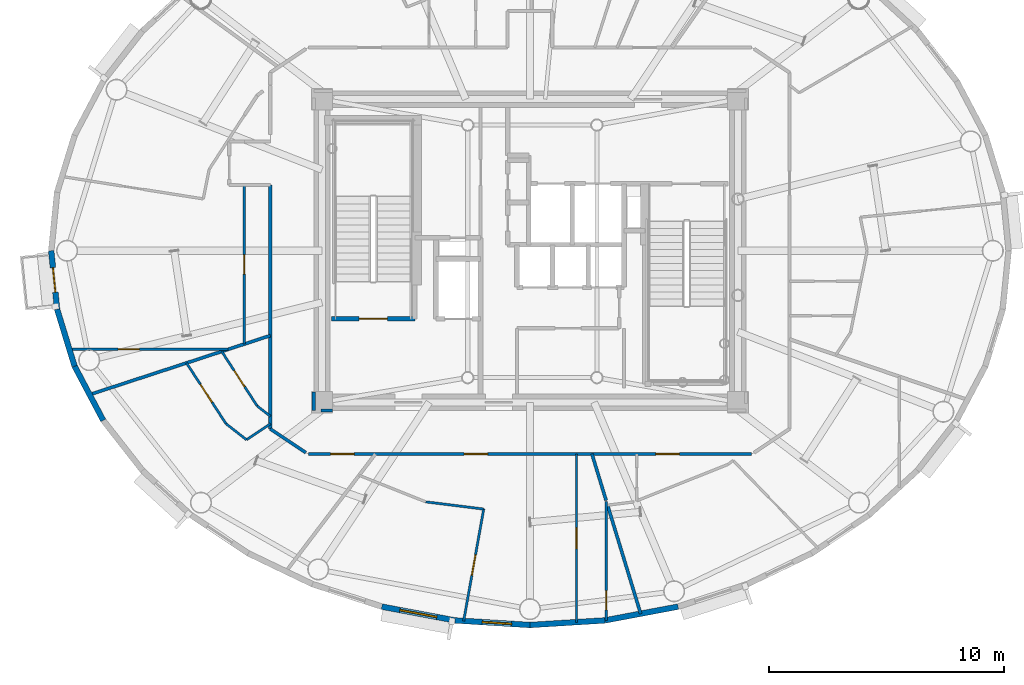
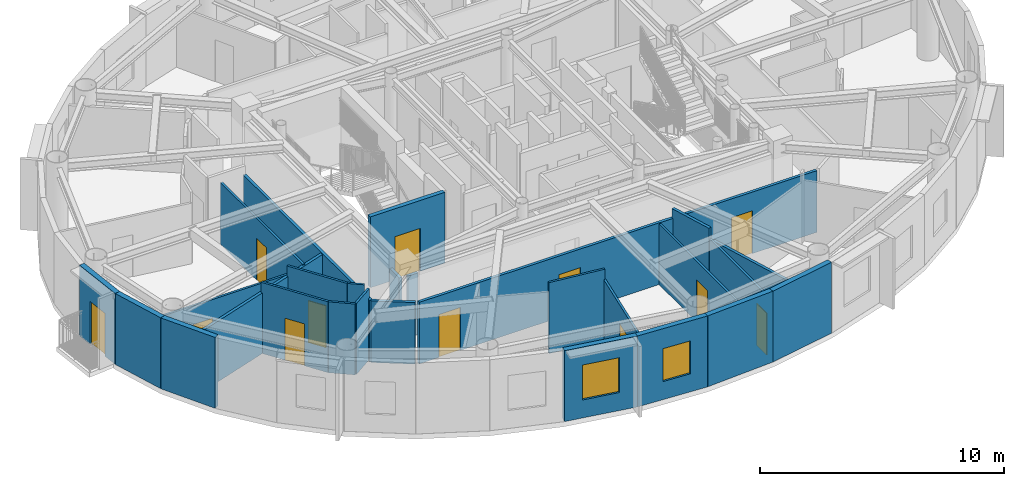
# One storey, part 6 of 17: 27 walls, 12 doors, 2 windows, 14 openings.
"""IFC4 building model written with IfcOpenShell, lengths in metres."""

from ifc_helpers import new_model, si_unit, direction, frame, frame_2d, origin, origin_2d, place, context, subcontext, project, spatial, rectangle, extrude, source, transform, mapped, material, layer, layer_set, type_object, element, fill, save


model = new_model("IFC4")

# Units and contexts
model_context = context("Model", 3, precision=1e-05, world=origin(), true_north=direction((0.0, 1.0)))
body_context = subcontext(model_context, "Body", "Model", "MODEL_VIEW")
ifc_project = project(units=[si_unit("LENGTHUNIT", "METRE"), si_unit("AREAUNIT", "SQUARE_METRE"), si_unit("VOLUMEUNIT", "CUBIC_METRE"), si_unit("PLANEANGLEUNIT", "RADIAN"), si_unit("MASSUNIT", "GRAM", prefix="KILO")], contexts=[model_context])

# Site, building, storey
site_placement = place(None, origin())
site = spatial("IfcSite", under=ifc_project, at=site_placement, CompositionType="ELEMENT")
building_placement = place(site_placement, origin())
building = spatial("IfcBuilding", under=site, at=building_placement, Name="Linh Dai School and Residence Tower", CompositionType="ELEMENT")
storey_placement = place(building_placement, frame((0.0, 0.0, 327.800048828125)))
storey = spatial("IfcBuildingStorey", under=building, at=storey_placement, Name="L81", CompositionType="ELEMENT", Elevation=327.800048828125)

# Wall, opening, door
ifc_material_1 = material(Name="Precast Concrete B45 (C35/45)", Category="concrete")
ifc_layer_1 = layer(ifc_material_1, 0.239990234375)
ifc_layer_set_1 = layer_set([ifc_layer_1], Name="Precast Concrete B45 (C35/45)")
wall_type_1 = type_object("IfcWallType", Name="EW-TC-240", PredefinedType="SOLIDWALL", material=ifc_layer_set_1)
wall_1_placement = place(storey_placement, frame((15.875, 24.51318359375, 0.0), z_axis=(0.0, 0.0, 1.0), x_axis=(-0.100025963401, 0.994984827344, 0.0)))
wall_1 = element("IfcWall", 1, at=wall_1_placement, inside=storey, type_object=wall_type_1, Name="L81 Terracotta Exterior Wall 21", PredefinedType="SOLIDWALL", context=body_context, shape_type="SweptSolid", body=[
    extrude(rectangle(XDim=2.499267578125, YDim=0.239990234375, at=frame_2d((1.24951171875, 0.0))), origin(), (0.0, 0.0, 1.0), 3.550048828125),
])
opening_1_placement = place(wall_1_placement, frame((0.724609375, 0.0, 0.0)))
opening_1 = element("IfcOpeningElement", 2, at=opening_1_placement, cuts=wall_1, Name="Opening BD1", PredefinedType="OPENING", context=body_context, shape_type="SweptSolid", body=[
    extrude(rectangle(XDim=1.050048828125, YDim=2.14990234375, at=origin_2d()), frame((0.52490234375, 0.1298828125, 1.074951171875), z_axis=(0.0, -1.0, 0.0), x_axis=(1.0, 0.0, 0.0)), (0.0, 0.0, 1.0), 0.260009765625),
])
ifc_material_2 = material(Name="Double-Glazed Balcony Door", Category="glass")
door_type_1 = type_object("IfcDoorType", Name="DR-BALC-1050x2150", OperationType="NOTDEFINED", PredefinedType="DOOR", material=ifc_material_2)
shared_shape_1 = source(origin(), body_context, "Body", "SweptSolid", [
    extrude(rectangle(XDim=1.050048828125, YDim=2.14990234375, at=origin_2d()), frame((0.52490234375, 0.02490234375, 1.074951171875), z_axis=(0.0, -1.0, 0.0), x_axis=(1.0, 0.0, 0.0)), (0.0, 0.0, 1.0), 0.050048828125),
])
door_1_placement = place(opening_1_placement, origin())
door_1 = element("IfcDoor", 3, at=door_1_placement, inside=storey, type_object=door_type_1, Name="L81 Glazed Balcony Door 21", OperationType="SINGLE_SWING_RIGHT", OverallHeight=2.14990234375, OverallWidth=1.050048828125, PredefinedType="DOOR", context=body_context, shape_type="MappedRepresentation", body=[
    mapped(shared_shape_1, transform((0.0, 0.0, 0.0), x_axis=(1.0, 0.0, 0.0), y_axis=(0.0, 1.0, 0.0), z_axis=(0.0, 0.0, 1.0), scale=1.0)),
])
fill(opening_1, door_1)

# Walls
wall_2_placement = place(storey_placement, frame((16.618896484375, 22.086669921875, 0.0), z_axis=(0.0, 0.0, 1.0), x_axis=(-0.293105547213, 0.956080089842, 0.0)))
element("IfcWall", 4, at=wall_2_placement, inside=storey, type_object=wall_type_1, Name="L81 Terracotta Exterior Wall 22", PredefinedType="SOLIDWALL", context=body_context, shape_type="SweptSolid", body=[
    extrude(rectangle(XDim=2.5380859375, YDim=0.239990234375, at=frame_2d((1.26904296875, 0.0))), origin(), (0.0, 0.0, 1.0), 3.550048828125),
])
wall_3_placement = place(storey_placement, frame((17.839111328125, 19.779296875, 0.0), z_axis=(0.0, 0.0, 1.0), x_axis=(-0.467487999989, 0.883999417345, 0.0)))
element("IfcWall", 5, at=wall_3_placement, inside=storey, type_object=wall_type_1, Name="L81 Terracotta Exterior Wall 23", PredefinedType="SOLIDWALL", context=body_context, shape_type="SweptSolid", body=[
    extrude(rectangle(XDim=2.610107421875, YDim=0.239990234375, at=frame_2d((1.30517578125, 0.0))), origin(), (0.0, 0.0, 1.0), 3.550048828125),
])

# Wall, opening, window
wall_4_placement = place(storey_placement, frame((32.80859375, 11.2666015625, 0.0), z_axis=(0.0, 0.0, 1.0), x_axis=(-0.98276643264, 0.184851667226, 0.0)))
wall_4 = element("IfcWall", 6, at=wall_4_placement, inside=storey, type_object=wall_type_1, Name="L81 Terracotta Exterior Wall 29", PredefinedType="SOLIDWALL", context=body_context, shape_type="SweptSolid", body=[
    extrude(rectangle(XDim=3.167236328125, YDim=0.239990234375, at=frame_2d((1.58349609375, 0.0))), origin(), (0.0, 0.0, 1.0), 3.550048828125),
])
opening_2_placement = place(wall_4_placement, frame((0.783447265625, 0.0, 0.89990234375)))
opening_2 = element("IfcOpeningElement", 7, at=opening_2_placement, cuts=wall_4, Name="Opening W2", PredefinedType="OPENING", context=body_context, shape_type="SweptSolid", body=[
    extrude(rectangle(XDim=1.60009765625, YDim=1.75, at=origin_2d()), frame((0.800048828125, 0.1298828125, 0.875), z_axis=(0.0, -1.0, 0.0), x_axis=(1.0, 0.0, 0.0)), (0.0, 0.0, 1.0), 0.260009765625),
])
ifc_material_3 = material(Name="Double Low-E Insulated Glazing", Category="glass")
window_type_1 = type_object("IfcWindowType", Name="WN-RES-1600x1750", PartitioningType="DOUBLE_PANEL_VERTICAL", PredefinedType="WINDOW", material=ifc_material_3)
shared_shape_2 = source(origin(), body_context, "Body", "SweptSolid", [
    extrude(rectangle(XDim=1.60009765625, YDim=1.75, at=origin_2d()), frame((0.800048828125, 0.030029296875, 0.875), z_axis=(0.0, -1.0, 0.0), x_axis=(1.0, 0.0, 0.0)), (0.0, 0.0, 1.0), 0.06005859375),
])
window_1_placement = place(opening_2_placement, origin())
window_1 = element("IfcWindow", 8, at=window_1_placement, inside=storey, type_object=window_type_1, Name="L81 Exterior Window 29.1", OverallHeight=1.75, OverallWidth=1.60009765625, PartitioningType="DOUBLE_PANEL_VERTICAL", PredefinedType="WINDOW", context=body_context, shape_type="MappedRepresentation", body=[
    mapped(shared_shape_2, transform((0.0, 0.0, 0.0), x_axis=(1.0, 0.0, 0.0), y_axis=(0.0, 1.0, 0.0), z_axis=(0.0, 0.0, 1.0), scale=1.0)),
])
fill(opening_2, window_1)

wall_5_placement = place(storey_placement, frame((36.0, 11.070068359375, 0.0), z_axis=(0.0, 0.0, 1.0), x_axis=(-0.998109204399, 0.061465568355, 0.0)))
wall_5 = element("IfcWall", 9, at=wall_5_placement, inside=storey, type_object=wall_type_1, Name="L81 Terracotta Exterior Wall 30", PredefinedType="SOLIDWALL", context=body_context, shape_type="SweptSolid", body=[
    extrude(rectangle(XDim=3.197509765625, YDim=0.239990234375, at=frame_2d((1.5986328125, 0.0))), origin(), (0.0, 0.0, 1.0), 3.550048828125),
])
opening_3_placement = place(wall_5_placement, frame((0.7841796875, 0.0, 0.89990234375)))
opening_3 = element("IfcOpeningElement", 10, at=opening_3_placement, cuts=wall_5, Name="Opening W3", PredefinedType="OPENING", context=body_context, shape_type="SweptSolid", body=[
    extrude(rectangle(XDim=1.25, YDim=1.64990234375, at=origin_2d()), frame((0.625, 0.1298828125, 0.824951171875), z_axis=(0.0, -1.0, 0.0), x_axis=(1.0, 0.0, 0.0)), (0.0, 0.0, 1.0), 0.260009765625),
])
window_type_2 = type_object("IfcWindowType", Name="WN-RES-1250x1650", PartitioningType="SINGLE_PANEL", PredefinedType="WINDOW", material=ifc_material_3)
shared_shape_3 = source(origin(), body_context, "Body", "SweptSolid", [
    extrude(rectangle(XDim=1.25, YDim=1.64990234375, at=origin_2d()), frame((0.625, 0.030029296875, 0.824951171875), z_axis=(0.0, -1.0, 0.0), x_axis=(1.0, 0.0, 0.0)), (0.0, 0.0, 1.0), 0.06005859375),
])
window_2_placement = place(opening_3_placement, origin())
window_2 = element("IfcWindow", 11, at=window_2_placement, inside=storey, type_object=window_type_2, Name="L81 Exterior Window 30.1", OverallHeight=1.64990234375, OverallWidth=1.25, PartitioningType="SINGLE_PANEL", PredefinedType="WINDOW", context=body_context, shape_type="MappedRepresentation", body=[
    mapped(shared_shape_3, transform((0.0, 0.0, 0.0), x_axis=(1.0, 0.0, 0.0), y_axis=(0.0, 1.0, 0.0), z_axis=(0.0, 0.0, 1.0), scale=1.0)),
])
fill(opening_3, window_2)

# Walls
wall_6_placement = place(storey_placement, frame((39.19140625, 11.2666015625, 0.0), z_axis=(0.0, 0.0, 1.0), x_axis=(-0.998109204399, -0.061465568355, 0.0)))
element("IfcWall", 12, at=wall_6_placement, inside=storey, type_object=wall_type_1, Name="L81 Terracotta Exterior Wall 31", PredefinedType="SOLIDWALL", context=body_context, shape_type="SweptSolid", body=[
    extrude(rectangle(XDim=3.197509765625, YDim=0.239990234375, at=frame_2d((1.5986328125, 0.0))), origin(), (0.0, 0.0, 1.0), 3.550048828125),
])
wall_7_placement = place(storey_placement, frame((42.303955078125, 11.85205078125, 0.0), z_axis=(0.0, 0.0, 1.0), x_axis=(-0.98276643264, -0.184851667226, 0.0)))
element("IfcWall", 13, at=wall_7_placement, inside=storey, type_object=wall_type_1, Name="L81 Terracotta Exterior Wall 32", PredefinedType="SOLIDWALL", context=body_context, shape_type="SweptSolid", body=[
    extrude(rectangle(XDim=3.167236328125, YDim=0.239990234375, at=frame_2d((1.58349609375, 0.0))), origin(), (0.0, 0.0, 1.0), 3.550048828125),
])
ifc_material_4 = material(Name="Autoclaved Aerated Concrete Blockwork", Category="masonry")
ifc_layer_2 = layer(ifc_material_4, 0.135009765625)
ifc_layer_set_2 = layer_set([ifc_layer_2], Name="Autoclaved Aerated Concrete Blockwork")
wall_type_2 = type_object("IfcWallType", Name="IW-CORR-135-EI90", PredefinedType="PARTITIONING", material=ifc_layer_set_2)
wall_8_placement = place(storey_placement, frame((17.25439453125, 20.874267578125, 0.0), z_axis=(0.0, 0.0, 1.0), x_axis=(0.950530431636, 0.310631451295, 0.0)))
element("IfcWall", 14, at=wall_8_placement, inside=storey, type_object=wall_type_2, Name="L81 Interior Partition Wall 003", PredefinedType="PARTITIONING", context=body_context, shape_type="SweptSolid", body=[
    extrude(rectangle(XDim=8.095947265625, YDim=0.135009765625, at=frame_2d((4.0478515625, 0.0))), origin(), (0.0, 0.0, 1.0), 3.034912109375),
])
wall_9_placement = place(storey_placement, frame((24.949951171875, 19.41748046875, 0.0), z_axis=(0.0, 0.0, 1.0), x_axis=(0.0, 1.0, 0.0)))
element("IfcWall", 15, at=wall_9_placement, inside=storey, type_object=wall_type_2, Name="L81 Interior Partition Wall 016", PredefinedType="PARTITIONING", context=body_context, shape_type="SweptSolid", body=[
    extrude(rectangle(XDim=10.382568359375, YDim=0.135009765625, at=frame_2d((5.19140625, 0.0))), origin(), (0.0, 0.0, 1.0), 3.0849609375),
])
wall_10_placement = place(storey_placement, frame((24.949951171875, 19.41748046875, 0.0), z_axis=(0.0, 0.0, 1.0), x_axis=(0.831180227396, -0.556003084151, 0.0)))
element("IfcWall", 16, at=wall_10_placement, inside=storey, type_object=wall_type_2, Name="L81 Interior Partition Wall 017", PredefinedType="PARTITIONING", context=body_context, shape_type="SweptSolid", body=[
    extrude(rectangle(XDim=1.815185546875, YDim=0.135009765625, at=frame_2d((0.90771484375, 0.0))), origin(), (0.0, 0.0, 1.0), 3.0849609375),
])

# Wall, openings, doors
wall_11_placement = place(storey_placement, frame((26.580078125, 18.35009765625, 0.0), z_axis=(0.0, 0.0, 1.0), x_axis=(1.0, 0.0, 0.0)))
wall_11 = element("IfcWall", 17, at=wall_11_placement, inside=storey, type_object=wall_type_2, Name="L81 Interior Partition Wall 021", PredefinedType="PARTITIONING", context=body_context, shape_type="SweptSolid", body=[
    extrude(rectangle(XDim=18.83984375, YDim=0.135009765625, at=frame_2d((9.419921875, 0.0))), origin(), (0.0, 0.0, 1.0), 3.0849609375),
])
opening_4_placement = place(wall_11_placement, frame((0.93994140625, 0.0, 0.0)))
opening_4 = element("IfcOpeningElement", 18, at=opening_4_placement, cuts=wall_11, Name="Opening D03", PredefinedType="OPENING", context=body_context, shape_type="SweptSolid", body=[
    extrude(rectangle(XDim=1.0, YDim=2.14990234375, at=origin_2d()), frame((0.5, 0.07763671875, 1.074951171875), z_axis=(0.0, -1.0, 0.0), x_axis=(1.0, 0.0, 0.0)), (0.0, 0.0, 1.0), 0.155029296875),
])
opening_5_placement = place(wall_11_placement, frame((6.62060546875, 0.0, 0.0)))
opening_5 = element("IfcOpeningElement", 19, at=opening_5_placement, cuts=wall_11, Name="Opening D03", PredefinedType="OPENING", context=body_context, shape_type="SweptSolid", body=[
    extrude(rectangle(XDim=1.0, YDim=2.14990234375, at=origin_2d()), frame((0.5, 0.07763671875, 1.074951171875), z_axis=(0.0, -1.0, 0.0), x_axis=(1.0, 0.0, 0.0)), (0.0, 0.0, 1.0), 0.155029296875),
])
opening_6_placement = place(wall_11_placement, frame((14.7783203125, 0.0, 0.0)))
opening_6 = element("IfcOpeningElement", 20, at=opening_6_placement, cuts=wall_11, Name="Opening D03", PredefinedType="OPENING", context=body_context, shape_type="SweptSolid", body=[
    extrude(rectangle(XDim=1.0, YDim=2.14990234375, at=origin_2d()), frame((0.5, 0.07763671875, 1.074951171875), z_axis=(0.0, -1.0, 0.0), x_axis=(1.0, 0.0, 0.0)), (0.0, 0.0, 1.0), 0.155029296875),
])
ifc_material_5 = material(Name="Fire-Rated Solid Timber Entrance Door", Category="wood")
door_type_2 = type_object("IfcDoorType", Name="DR-FLAT-1000x2150-FD60S", OperationType="NOTDEFINED", PredefinedType="DOOR", material=ifc_material_5)
shared_shape_4 = source(origin(), body_context, "Body", "SweptSolid", [
    extrude(rectangle(XDim=1.0, YDim=2.14990234375, at=origin_2d()), frame((0.5, 0.02490234375, 1.074951171875), z_axis=(0.0, -1.0, 0.0), x_axis=(1.0, 0.0, 0.0)), (0.0, 0.0, 1.0), 0.050048828125),
])
door_2_placement = place(opening_4_placement, origin())
door_2 = element("IfcDoor", 21, at=door_2_placement, inside=storey, type_object=door_type_2, Name="L81 U8104 Apartment Entrance Door", OperationType="SINGLE_SWING_LEFT", OverallHeight=2.14990234375, OverallWidth=1.0, PredefinedType="DOOR", context=body_context, shape_type="MappedRepresentation", body=[
    mapped(shared_shape_4, transform((0.0, 0.0, 0.0), x_axis=(1.0, 0.0, 0.0), y_axis=(0.0, 1.0, 0.0), z_axis=(0.0, 0.0, 1.0), scale=1.0)),
])
fill(opening_4, door_2)
door_3_placement = place(opening_5_placement, origin())
door_3 = element("IfcDoor", 22, at=door_3_placement, inside=storey, type_object=door_type_2, Name="L81 U8105 Apartment Entrance Door", OperationType="SINGLE_SWING_RIGHT", OverallHeight=2.14990234375, OverallWidth=1.0, PredefinedType="DOOR", context=body_context, shape_type="MappedRepresentation", body=[
    mapped(shared_shape_4, transform((0.0, 0.0, 0.0), x_axis=(1.0, 0.0, 0.0), y_axis=(0.0, 1.0, 0.0), z_axis=(0.0, 0.0, 1.0), scale=1.0)),
])
fill(opening_5, door_3)
door_4_placement = place(opening_6_placement, origin())
door_4 = element("IfcDoor", 23, at=door_4_placement, inside=storey, type_object=door_type_2, Name="L81 U8106 Apartment Entrance Door", OperationType="SINGLE_SWING_RIGHT", OverallHeight=2.14990234375, OverallWidth=1.0, PredefinedType="DOOR", context=body_context, shape_type="MappedRepresentation", body=[
    mapped(shared_shape_4, transform((0.0, 0.0, 0.0), x_axis=(1.0, 0.0, 0.0), y_axis=(0.0, 1.0, 0.0), z_axis=(0.0, 0.0, 1.0), scale=1.0)),
])
fill(opening_6, door_4)

# Walls
wall_12_placement = place(storey_placement, frame((38.63916015625, 18.35009765625, 0.0), z_axis=(0.0, 0.0, 1.0), x_axis=(0.291729785941, -0.956500774696, 0.0)))
element("IfcWall", 24, at=wall_12_placement, inside=storey, type_object=wall_type_2, Name="L81 Interior Partition Wall 061", PredefinedType="PARTITIONING", context=body_context, shape_type="SweptSolid", body=[
    extrude(rectangle(XDim=2.06884765625, YDim=0.135009765625, at=frame_2d((1.034423828125, 0.0))), origin(), (0.0, 0.0, 1.0), 3.550048828125),
])
wall_13_placement = place(storey_placement, frame((39.3037109375, 16.17138671875, 0.0), z_axis=(0.0, 0.0, 1.0), x_axis=(0.291820739467, -0.956473029425, 0.0)))
element("IfcWall", 25, at=wall_13_placement, inside=storey, type_object=wall_type_2, Name="L81 Interior Partition Wall 065", PredefinedType="PARTITIONING", context=body_context, shape_type="SweptSolid", body=[
    extrude(rectangle(XDim=4.833984375, YDim=0.135009765625, at=frame_2d((2.4169921875, 0.0))), origin(), (0.0, 0.0, 1.0), 3.034912109375),
])
wall_14_placement = place(storey_placement, frame((26.800048828125, 20.989990234375, 0.0), z_axis=(0.0, 0.0, 1.0), x_axis=(0.0, -1.0, 0.0)))
element("IfcWall", 26, at=wall_14_placement, inside=storey, type_object=wall_type_2, Name="L81 Interior Partition Wall 097", PredefinedType="PARTITIONING", context=body_context, shape_type="SweptSolid", body=[
    extrude(rectangle(XDim=0.7900390625, YDim=0.135009765625, at=frame_2d((0.39501953125, 0.0))), origin(), (0.0, 0.0, 1.0), 3.0849609375),
])
wall_15_placement = place(storey_placement, frame((27.107421875, 20.199951171875, 0.0), z_axis=(0.0, 0.0, 1.0), x_axis=(1.0, 0.0, 0.0)))
element("IfcWall", 27, at=wall_15_placement, inside=storey, type_object=wall_type_2, Name="L81 Interior Partition Wall 098", PredefinedType="PARTITIONING", context=body_context, shape_type="SweptSolid", body=[
    extrude(rectangle(XDim=0.482666015625, YDim=0.135009765625, at=frame_2d((0.2412109375, 0.0))), origin(), (0.0, 0.0, 1.0), 3.0849609375),
])

# Wall, opening, door
ifc_material_6 = material(Name="Concrete B45 (C35/45)", Category="concrete")
ifc_layer_3 = layer(ifc_material_6, 0.199951171875)
ifc_layer_set_3 = layer_set([ifc_layer_3], Name="Concrete B45 (C35/45)")
wall_type_3 = type_object("IfcWallType", Name="IW-SHAFT-200-EI120", PredefinedType="PARTITIONING", material=ifc_layer_set_3)
wall_16_placement = place(storey_placement, frame((27.56005859375, 24.10009765625, 0.0), z_axis=(0.0, 0.0, 1.0), x_axis=(1.0, 0.0, 0.0)))
wall_16 = element("IfcWall", 28, at=wall_16_placement, inside=storey, type_object=wall_type_3, Name="L81 Interior Partition Wall 023", PredefinedType="PARTITIONING", context=body_context, shape_type="SweptSolid", body=[
    extrude(rectangle(XDim=3.5400390625, YDim=0.199951171875, at=frame_2d((1.77001953125, 0.0))), origin(), (0.0, 0.0, 1.0), 3.550048828125),
])
opening_7_placement = place(wall_16_placement, frame((1.169921875, 0.0, 0.0)))
opening_7 = element("IfcOpeningElement", 29, at=opening_7_placement, cuts=wall_16, Name="Opening D01", PredefinedType="OPENING", context=body_context, shape_type="SweptSolid", body=[
    extrude(rectangle(XDim=1.199951171875, YDim=2.14990234375, at=origin_2d()), frame((0.60009765625, 0.10986328125, 1.074951171875), z_axis=(0.0, -1.0, 0.0), x_axis=(1.0, 0.0, 0.0)), (0.0, 0.0, 1.0), 0.219970703125),
])
ifc_material_7 = material(Name="Fire-Rated Steel Door Leaf", Category="steel")
door_type_3 = type_object("IfcDoorType", Name="DR-STAIR-1200x2150-FD90S", OperationType="NOTDEFINED", PredefinedType="DOOR", material=ifc_material_7)
shared_shape_5 = source(origin(), body_context, "Body", "SweptSolid", [
    extrude(rectangle(XDim=1.199951171875, YDim=2.14990234375, at=origin_2d()), frame((0.60009765625, 0.02490234375, 1.074951171875), z_axis=(0.0, -1.0, 0.0), x_axis=(1.0, 0.0, 0.0)), (0.0, 0.0, 1.0), 0.050048828125),
])
door_5_placement = place(opening_7_placement, origin())
door_5 = element("IfcDoor", 30, at=door_5_placement, inside=storey, type_object=door_type_3, Name="L81 Core Smokeproof Exit Stair ST1 Door", OperationType="SINGLE_SWING_RIGHT", OverallHeight=2.14990234375, OverallWidth=1.199951171875, PredefinedType="DOOR", context=body_context, shape_type="MappedRepresentation", body=[
    mapped(shared_shape_5, transform((0.0, 0.0, 0.0), x_axis=(1.0, 0.0, 0.0), y_axis=(0.0, 1.0, 0.0), z_axis=(0.0, 0.0, 1.0), scale=1.0)),
])
fill(opening_7, door_5)

ifc_material_8 = material(Name="Gypsum Plasterboard Acoustic Stud Partition", Category="masonry")
ifc_layer_4 = layer(ifc_material_8, 0.10009765625)
ifc_layer_set_4 = layer_set([ifc_layer_4], Name="Gypsum Plasterboard Acoustic Stud Partition")
wall_type_4 = type_object("IfcWallType", Name="IW-UNIT-100", PredefinedType="PARTITIONING", material=ifc_layer_set_4)
wall_17_placement = place(storey_placement, frame((16.391357421875, 22.811767578125, 0.0), z_axis=(0.0, 0.0, 1.0), x_axis=(1.0, 0.0, 0.0)))
wall_17 = element("IfcWall", 31, at=wall_17_placement, inside=storey, type_object=wall_type_4, Name="L81 Interior Partition Wall 002", PredefinedType="PARTITIONING", context=body_context, shape_type="SweptSolid", body=[
    extrude(rectangle(XDim=6.75732421875, YDim=0.10009765625, at=frame_2d((3.378662109375, 0.0))), origin(), (0.0, 0.0, 1.0), 3.034912109375),
])
opening_8_placement = place(wall_17_placement, frame((2.086181640625, 0.0, 0.0)))
opening_8 = element("IfcOpeningElement", 32, at=opening_8_placement, cuts=wall_17, Name="Opening D05", PredefinedType="OPENING", context=body_context, shape_type="SweptSolid", body=[
    extrude(rectangle(XDim=0.89990234375, YDim=2.10009765625, at=origin_2d()), frame((0.449951171875, 0.06005859375, 1.050048828125), z_axis=(0.0, -1.0, 0.0), x_axis=(1.0, 0.0, 0.0)), (0.0, 0.0, 1.0), 0.1201171875),
])
ifc_material_9 = material(Name="Engineered Timber Internal Door", Category="wood")
door_type_4 = type_object("IfcDoorType", Name="DR-INT-900x2100", OperationType="NOTDEFINED", PredefinedType="DOOR", material=ifc_material_9)
shared_shape_6 = source(origin(), body_context, "Body", "SweptSolid", [
    extrude(rectangle(XDim=0.89990234375, YDim=2.10009765625, at=origin_2d()), frame((0.449951171875, 0.02490234375, 1.050048828125), z_axis=(0.0, -1.0, 0.0), x_axis=(1.0, 0.0, 0.0)), (0.0, 0.0, 1.0), 0.050048828125),
])
door_6_placement = place(opening_8_placement, origin())
door_6 = element("IfcDoor", 33, at=door_6_placement, inside=storey, type_object=door_type_4, Name="L81 Apartment U8103 Kitchen Door", OperationType="SINGLE_SWING_RIGHT", OverallHeight=2.10009765625, OverallWidth=0.89990234375, PredefinedType="DOOR", context=body_context, shape_type="MappedRepresentation", body=[
    mapped(shared_shape_6, transform((0.0, 0.0, 0.0), x_axis=(1.0, 0.0, 0.0), y_axis=(0.0, 1.0, 0.0), z_axis=(0.0, 0.0, 1.0), scale=1.0)),
])
fill(opening_8, door_6)

wall_18_placement = place(storey_placement, frame((21.382568359375, 22.223388671875, 0.0), z_axis=(0.0, 0.0, 1.0), x_axis=(0.545308414619, -0.838235487763, 0.0)))
wall_18 = element("IfcWall", 34, at=wall_18_placement, inside=storey, type_object=wall_type_4, Name="L81 Interior Partition Wall 005", PredefinedType="PARTITIONING", context=body_context, shape_type="SweptSolid", body=[
    extrude(rectangle(XDim=3.0830078125, YDim=0.10009765625, at=frame_2d((1.54150390625, 0.0))), origin(), (0.0, 0.0, 1.0), 3.550048828125),
])
opening_9_placement = place(wall_18_placement, frame((1.091552734375, 0.0, 0.0)))
opening_9 = element("IfcOpeningElement", 35, at=opening_9_placement, cuts=wall_18, Name="Opening D05", PredefinedType="OPENING", context=body_context, shape_type="SweptSolid", body=[
    extrude(rectangle(XDim=0.89990234375, YDim=2.10009765625, at=origin_2d()), frame((0.449951171875, 0.06005859375, 1.050048828125), z_axis=(0.0, -1.0, 0.0), x_axis=(1.0, 0.0, 0.0)), (0.0, 0.0, 1.0), 0.1201171875),
])
door_7_placement = place(opening_9_placement, origin())
door_7 = element("IfcDoor", 36, at=door_7_placement, inside=storey, type_object=door_type_4, Name="L81 Apartment U8104 Kitchen Door", OperationType="SINGLE_SWING_RIGHT", OverallHeight=2.10009765625, OverallWidth=0.89990234375, PredefinedType="DOOR", context=body_context, shape_type="MappedRepresentation", body=[
    mapped(shared_shape_6, transform((0.0, 0.0, 0.0), x_axis=(1.0, 0.0, 0.0), y_axis=(0.0, 1.0, 0.0), z_axis=(0.0, 0.0, 1.0), scale=1.0)),
])
fill(opening_9, door_7)

wall_19_placement = place(storey_placement, frame((22.8818359375, 22.71337890625, 0.0), z_axis=(0.0, 0.0, 1.0), x_axis=(0.545338791734, -0.838215725353, 0.0)))
wall_19 = element("IfcWall", 37, at=wall_19_placement, inside=storey, type_object=wall_type_4, Name="L81 Interior Partition Wall 008", PredefinedType="PARTITIONING", context=body_context, shape_type="SweptSolid", body=[
    extrude(rectangle(XDim=2.7666015625, YDim=0.10009765625, at=frame_2d((1.38330078125, 0.0))), origin(), (0.0, 0.0, 1.0), 3.550048828125),
])
opening_10_placement = place(wall_19_placement, frame((0.973388671875, 0.0, 0.0)))
opening_10 = element("IfcOpeningElement", 38, at=opening_10_placement, cuts=wall_19, Name="Opening D06", PredefinedType="OPENING", context=body_context, shape_type="SweptSolid", body=[
    extrude(rectangle(XDim=0.820068359375, YDim=2.10009765625, at=origin_2d()), frame((0.41015625, 0.06005859375, 1.050048828125), z_axis=(0.0, -1.0, 0.0), x_axis=(1.0, 0.0, 0.0)), (0.0, 0.0, 1.0), 0.1201171875),
])
ifc_material_10 = material(Name="Moisture-Resistant Timber Bathroom Door", Category="wood")
door_type_5 = type_object("IfcDoorType", Name="DR-WET-820x2100", OperationType="NOTDEFINED", PredefinedType="DOOR", material=ifc_material_10)
shared_shape_7 = source(origin(), body_context, "Body", "SweptSolid", [
    extrude(rectangle(XDim=0.820068359375, YDim=2.10009765625, at=origin_2d()), frame((0.41015625, 0.02490234375, 1.050048828125), z_axis=(0.0, -1.0, 0.0), x_axis=(1.0, 0.0, 0.0)), (0.0, 0.0, 1.0), 0.050048828125),
])
door_8_placement = place(opening_10_placement, origin())
door_8 = element("IfcDoor", 39, at=door_8_placement, inside=storey, type_object=door_type_5, Name="L81 Apartment U8104 Bathroom Door", OperationType="SINGLE_SWING_LEFT", OverallHeight=2.10009765625, OverallWidth=0.820068359375, PredefinedType="DOOR", context=body_context, shape_type="MappedRepresentation", body=[
    mapped(shared_shape_7, transform((0.0, 0.0, 0.0), x_axis=(1.0, 0.0, 0.0), y_axis=(0.0, 1.0, 0.0), z_axis=(0.0, 0.0, 1.0), scale=1.0)),
])
fill(opening_10, door_8)

# Wall
wall_20_placement = place(storey_placement, frame((23.063720703125, 19.63916015625, 0.0), z_axis=(0.0, 0.0, 1.0), x_axis=(0.787374522117, -0.616474948332, 0.0)))
element("IfcWall", 40, at=wall_20_placement, inside=storey, type_object=wall_type_4, Name="L81 Interior Partition Wall 009", PredefinedType="PARTITIONING", context=body_context, shape_type="SweptSolid", body=[
    extrude(rectangle(XDim=1.105712890625, YDim=0.10009765625, at=frame_2d((0.552734375, 0.0))), origin(), (0.0, 0.0, 1.0), 3.550048828125),
])

# Wall, opening, door
wall_21_placement = place(storey_placement, frame((23.845947265625, 23.0283203125, 0.0), z_axis=(0.0, 0.0, 1.0), x_axis=(0.0, 1.0, 0.0)))
wall_21 = element("IfcWall", 41, at=wall_21_placement, inside=storey, type_object=wall_type_4, Name="L81 Interior Partition Wall 013", PredefinedType="PARTITIONING", context=body_context, shape_type="SweptSolid", body=[
    extrude(rectangle(XDim=6.771728515625, YDim=0.10009765625, at=frame_2d((3.3857421875, 0.0))), origin(), (0.0, 0.0, 1.0), 3.0849609375),
])
opening_11_placement = place(wall_21_placement, frame((2.975830078125, 0.0, 0.0)))
opening_11 = element("IfcOpeningElement", 42, at=opening_11_placement, cuts=wall_21, Name="Opening D06", PredefinedType="OPENING", context=body_context, shape_type="SweptSolid", body=[
    extrude(rectangle(XDim=0.820068359375, YDim=2.10009765625, at=origin_2d()), frame((0.41015625, 0.06005859375, 1.050048828125), z_axis=(0.0, -1.0, 0.0), x_axis=(1.0, 0.0, 0.0)), (0.0, 0.0, 1.0), 0.1201171875),
])
door_9_placement = place(opening_11_placement, origin())
door_9 = element("IfcDoor", 43, at=door_9_placement, inside=storey, type_object=door_type_5, Name="L81 Apartment U8103 Bathroom 1 Door", OperationType="SINGLE_SWING_LEFT", OverallHeight=2.10009765625, OverallWidth=0.820068359375, PredefinedType="DOOR", context=body_context, shape_type="MappedRepresentation", body=[
    mapped(shared_shape_7, transform((0.0, 0.0, 0.0), x_axis=(1.0, 0.0, 0.0), y_axis=(0.0, 1.0, 0.0), z_axis=(0.0, 0.0, 1.0), scale=1.0)),
])
fill(opening_11, door_9)

# Walls
wall_22_placement = place(storey_placement, frame((23.934326171875, 18.95751953125, 0.0), z_axis=(0.0, 0.0, 1.0), x_axis=(0.832081065286, 0.554654037029, 0.0)))
element("IfcWall", 44, at=wall_22_placement, inside=storey, type_object=wall_type_4, Name="L81 Interior Partition Wall 014", PredefinedType="PARTITIONING", context=body_context, shape_type="SweptSolid", body=[
    extrude(rectangle(XDim=1.220703125, YDim=0.10009765625, at=frame_2d((0.6103515625, 0.0))), origin(), (0.0, 0.0, 1.0), 3.550048828125),
])
wall_23_placement = place(storey_placement, frame((24.390625, 20.394287109375, 0.0), z_axis=(0.0, 0.0, 1.0), x_axis=(0.787164110493, -0.616743595956, 0.0)))
element("IfcWall", 45, at=wall_23_placement, inside=storey, type_object=wall_type_4, Name="L81 Interior Partition Wall 015", PredefinedType="PARTITIONING", context=body_context, shape_type="SweptSolid", body=[
    extrude(rectangle(XDim=0.71044921875, YDim=0.10009765625, at=frame_2d((0.355224609375, 0.0))), origin(), (0.0, 0.0, 1.0), 3.550048828125),
])
wall_24_placement = place(storey_placement, frame((31.565673828125, 16.3115234375, 0.0), z_axis=(0.0, 0.0, 1.0), x_axis=(0.992398289592, -0.123067602619, 0.0)))
element("IfcWall", 46, at=wall_24_placement, inside=storey, type_object=wall_type_4, Name="L81 Interior Partition Wall 029", PredefinedType="PARTITIONING", context=body_context, shape_type="SweptSolid", body=[
    extrude(rectangle(XDim=2.485595703125, YDim=0.10009765625, at=frame_2d((1.24267578125, 0.0))), origin(), (0.0, 0.0, 1.0), 3.550048828125),
])

# Wall, opening, door
wall_25_placement = place(storey_placement, frame((33.179443359375, 11.23876953125, 0.0), z_axis=(0.0, 0.0, 1.0), x_axis=(0.176151823621, 0.984363009786, 0.0)))
wall_25 = element("IfcWall", 47, at=wall_25_placement, inside=storey, type_object=wall_type_4, Name="L81 Interior Partition Wall 035", PredefinedType="PARTITIONING", context=body_context, shape_type="SweptSolid", body=[
    extrude(rectangle(XDim=4.842529296875, YDim=0.10009765625, at=frame_2d((2.42138671875, 0.0))), origin(), (0.0, 0.0, 1.0), 3.034912109375),
])
opening_12_placement = place(wall_25_placement, frame((1.97119140625, 0.0, 0.0)))
opening_12 = element("IfcOpeningElement", 48, at=opening_12_placement, cuts=wall_25, Name="Opening D05", PredefinedType="OPENING", context=body_context, shape_type="SweptSolid", body=[
    extrude(rectangle(XDim=0.89990234375, YDim=2.10009765625, at=origin_2d()), frame((0.449951171875, 0.06005859375, 1.050048828125), z_axis=(0.0, -1.0, 0.0), x_axis=(1.0, 0.0, 0.0)), (0.0, 0.0, 1.0), 0.1201171875),
])
door_10_placement = place(opening_12_placement, origin())
door_10 = element("IfcDoor", 49, at=door_10_placement, inside=storey, type_object=door_type_4, Name="L81 Apartment U8105 Bedroom 1 Door", OperationType="SINGLE_SWING_LEFT", OverallHeight=2.10009765625, OverallWidth=0.89990234375, PredefinedType="DOOR", context=body_context, shape_type="MappedRepresentation", body=[
    mapped(shared_shape_6, transform((0.0, 0.0, 0.0), x_axis=(1.0, 0.0, 0.0), y_axis=(0.0, 1.0, 0.0), z_axis=(0.0, 0.0, 1.0), scale=1.0)),
])
fill(opening_12, door_10)

wall_26_placement = place(storey_placement, frame((37.981201171875, 11.18701171875, 0.0), z_axis=(0.0, 0.0, 1.0), x_axis=(0.0, 1.0, 0.0)))
wall_26 = element("IfcWall", 50, at=wall_26_placement, inside=storey, type_object=wall_type_4, Name="L81 Interior Partition Wall 059", PredefinedType="PARTITIONING", context=body_context, shape_type="SweptSolid", body=[
    extrude(rectangle(XDim=7.1630859375, YDim=0.10009765625, at=frame_2d((3.58154296875, 0.0))), origin(), (0.0, 0.0, 1.0), 3.034912109375),
])
opening_13_placement = place(wall_26_placement, frame((3.13134765625, 0.0, 0.0)))
opening_13 = element("IfcOpeningElement", 51, at=opening_13_placement, cuts=wall_26, Name="Opening D05", PredefinedType="OPENING", context=body_context, shape_type="SweptSolid", body=[
    extrude(rectangle(XDim=0.89990234375, YDim=2.10009765625, at=origin_2d()), frame((0.449951171875, 0.06005859375, 1.050048828125), z_axis=(0.0, -1.0, 0.0), x_axis=(1.0, 0.0, 0.0)), (0.0, 0.0, 1.0), 0.1201171875),
])
door_11_placement = place(opening_13_placement, origin())
door_11 = element("IfcDoor", 52, at=door_11_placement, inside=storey, type_object=door_type_4, Name="L81 Apartment U8105 Kitchen Door", OperationType="SINGLE_SWING_RIGHT", OverallHeight=2.10009765625, OverallWidth=0.89990234375, PredefinedType="DOOR", context=body_context, shape_type="MappedRepresentation", body=[
    mapped(shared_shape_6, transform((0.0, 0.0, 0.0), x_axis=(1.0, 0.0, 0.0), y_axis=(0.0, 1.0, 0.0), z_axis=(0.0, 0.0, 1.0), scale=1.0)),
])
fill(opening_13, door_11)

wall_27_placement = place(storey_placement, frame((39.24267578125, 11.271240234375, 0.0), z_axis=(0.0, 0.0, 1.0), x_axis=(0.0, 1.0, 0.0)))
wall_27 = element("IfcWall", 53, at=wall_27_placement, inside=storey, type_object=wall_type_4, Name="L81 Interior Partition Wall 063", PredefinedType="PARTITIONING", context=body_context, shape_type="SweptSolid", body=[
    extrude(rectangle(XDim=5.05517578125, YDim=0.10009765625, at=frame_2d((2.527587890625, 0.0))), origin(), (0.0, 0.0, 1.0), 3.034912109375),
])
opening_14_placement = place(wall_27_placement, frame((0.439697265625, 0.0, 0.0)))
opening_14 = element("IfcOpeningElement", 54, at=opening_14_placement, cuts=wall_27, Name="Opening D06", PredefinedType="OPENING", context=body_context, shape_type="SweptSolid", body=[
    extrude(rectangle(XDim=0.820068359375, YDim=2.10009765625, at=origin_2d()), frame((0.41015625, 0.06005859375, 1.050048828125), z_axis=(0.0, -1.0, 0.0), x_axis=(1.0, 0.0, 0.0)), (0.0, 0.0, 1.0), 0.1201171875),
])
door_12_placement = place(opening_14_placement, origin())
door_12 = element("IfcDoor", 55, at=door_12_placement, inside=storey, type_object=door_type_5, Name="L81 Apartment U8105 Bathroom 1 Door", OperationType="SINGLE_SWING_LEFT", OverallHeight=2.10009765625, OverallWidth=0.820068359375, PredefinedType="DOOR", context=body_context, shape_type="MappedRepresentation", body=[
    mapped(shared_shape_7, transform((0.0, 0.0, 0.0), x_axis=(1.0, 0.0, 0.0), y_axis=(0.0, 1.0, 0.0), z_axis=(0.0, 0.0, 1.0), scale=1.0)),
])
fill(opening_14, door_12)

save(model, "model.ifc")
